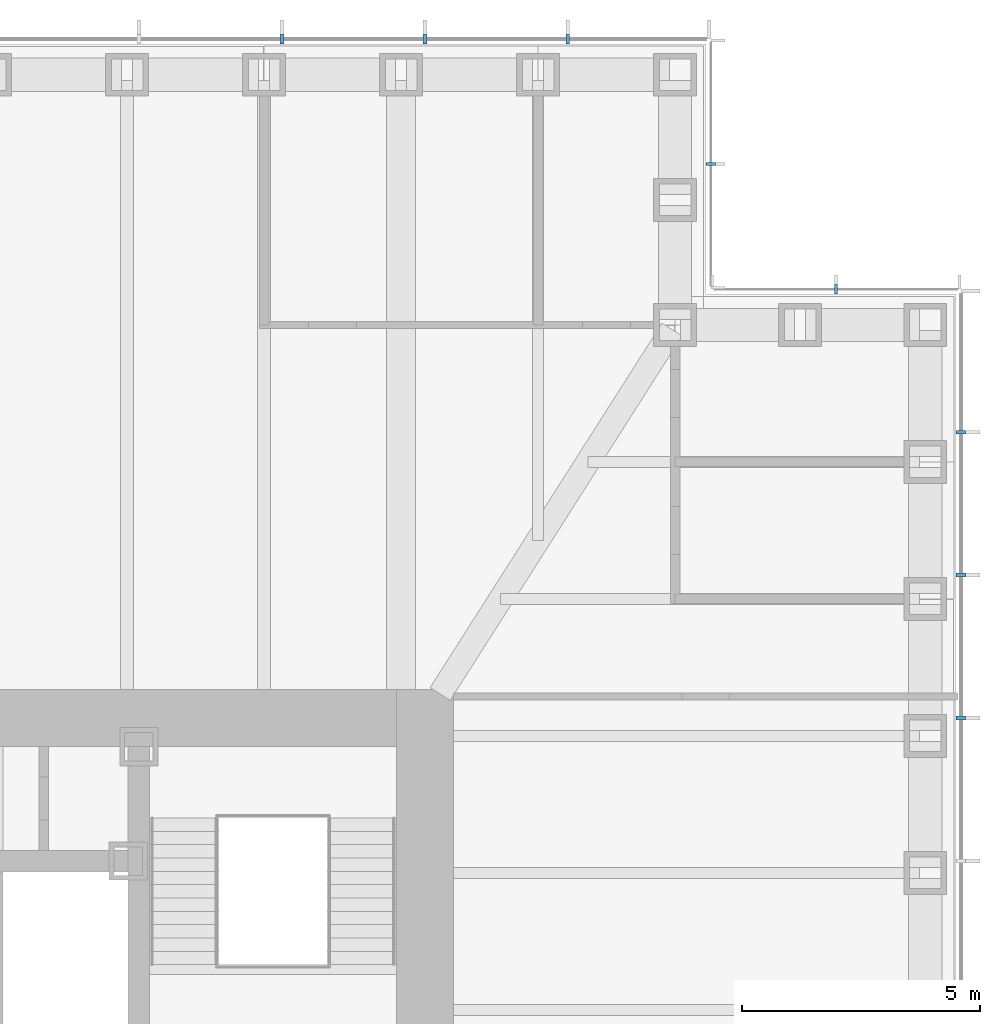
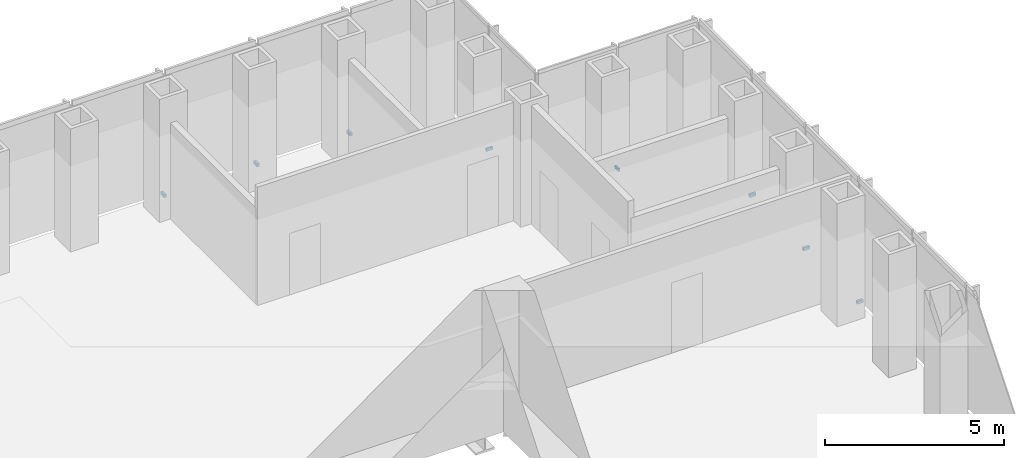
# One storey, part 15 of 16: 8 discrete accessories.
"""IFC4 building model written with IfcOpenShell, lengths in metres."""

from ifc_helpers import new_model, si_unit, direction, frame, origin, origin_2d, place, context, subcontext, project, spatial, rectangle, extrude, element, save


model = new_model("IFC4")

# Units and contexts
model_context = context("Model", 3, precision=1e-05, world=origin(), true_north=direction((0.0, 1.0)))
body_context = subcontext(model_context, "Body", "Model", "MODEL_VIEW")
ifc_project = project(units=[si_unit("LENGTHUNIT", "METRE"), si_unit("AREAUNIT", "SQUARE_METRE"), si_unit("VOLUMEUNIT", "CUBIC_METRE"), si_unit("PLANEANGLEUNIT", "RADIAN"), si_unit("MASSUNIT", "GRAM", prefix="KILO")], contexts=[model_context])

# Site, building, storey
site_placement = place(None, origin())
site = spatial("IfcSite", under=ifc_project, at=site_placement, CompositionType="ELEMENT")
building_placement = place(site_placement, origin())
building = spatial("IfcBuilding", under=site, at=building_placement, Name="Daluyong Arena Tower", CompositionType="ELEMENT")
storey_placement = place(building_placement, frame((0.0, 0.0, 162.699951171875)))
storey = spatial("IfcBuildingStorey", under=building, at=storey_placement, Name="L36", CompositionType="ELEMENT", Elevation=162.699951171875)

# Discrete accessories
for number, where, z_axis, x_axis, name in (
    (1, (79.25, 89.0, -0.10009765625), (0.0, 0.0, 1.0), (0.0, 1.0, 0.0), "curtain wall L36 E anchor bracket 10"),
    (2, (79.25, 92.0, -0.10009765625), (0.0, 0.0, 1.0), (0.0, 1.0, 0.0), "curtain wall L36 E anchor bracket 11"),
    (3, (79.25, 95.0, -0.10009765625), (0.0, 0.0, 1.0), (0.0, 1.0, 0.0), "curtain wall L36 E anchor bracket 12"),
):
    element("IfcDiscreteAccessory", number, at=place(storey_placement, frame(where, z_axis=z_axis, x_axis=x_axis)), inside=storey, Name=name, PredefinedType="BRACKET", context=body_context, shape_type="SweptSolid", body=[
        extrude(rectangle(XDim=0.080078125, YDim=0.199951171875, at=origin_2d()), origin(), (0.0, 0.0, 1.0), 0.10009765625),
    ])
for number, where, z_axis, x_axis, name in (
    (4, (76.625, 98.0, -0.10009765625), (0.0, 0.0, 1.0), (-1.0, 0.0, 0.0), "curtain wall L36 NE-N anchor bracket 2"),
    (5, (74.0, 100.625, -0.10009765625), (0.0, 0.0, 1.0), (0.0, 1.0, 0.0), "curtain wall L36 NE-E anchor bracket 2"),
):
    element("IfcDiscreteAccessory", number, at=place(storey_placement, frame(where, z_axis=z_axis, x_axis=x_axis)), inside=storey, Name=name, PredefinedType="BRACKET", context=body_context, shape_type="SweptSolid", body=[
        extrude(rectangle(XDim=0.06005859375, YDim=0.199951171875, at=origin_2d()), origin(), (0.0, 0.0, 1.0), 0.10009765625),
    ])
for number, where, z_axis, x_axis, name in (
    (6, (71.0, 103.25, -0.10009765625), (0.0, 0.0, 1.0), (-1.0, 0.0, 0.0), "curtain wall L36 N anchor bracket 2"),
    (7, (68.0, 103.25, -0.10009765625), (0.0, 0.0, 1.0), (-1.0, 0.0, 0.0), "curtain wall L36 N anchor bracket 3"),
    (8, (65.0, 103.25, -0.10009765625), (0.0, 0.0, 1.0), (-1.0, 0.0, 0.0), "curtain wall L36 N anchor bracket 4"),
):
    element("IfcDiscreteAccessory", number, at=place(storey_placement, frame(where, z_axis=z_axis, x_axis=x_axis)), inside=storey, Name=name, PredefinedType="BRACKET", context=body_context, shape_type="SweptSolid", body=[
        extrude(rectangle(XDim=0.080078125, YDim=0.199951171875, at=origin_2d()), origin(), (0.0, 0.0, 1.0), 0.10009765625),
    ])

save(model, "model.ifc")
